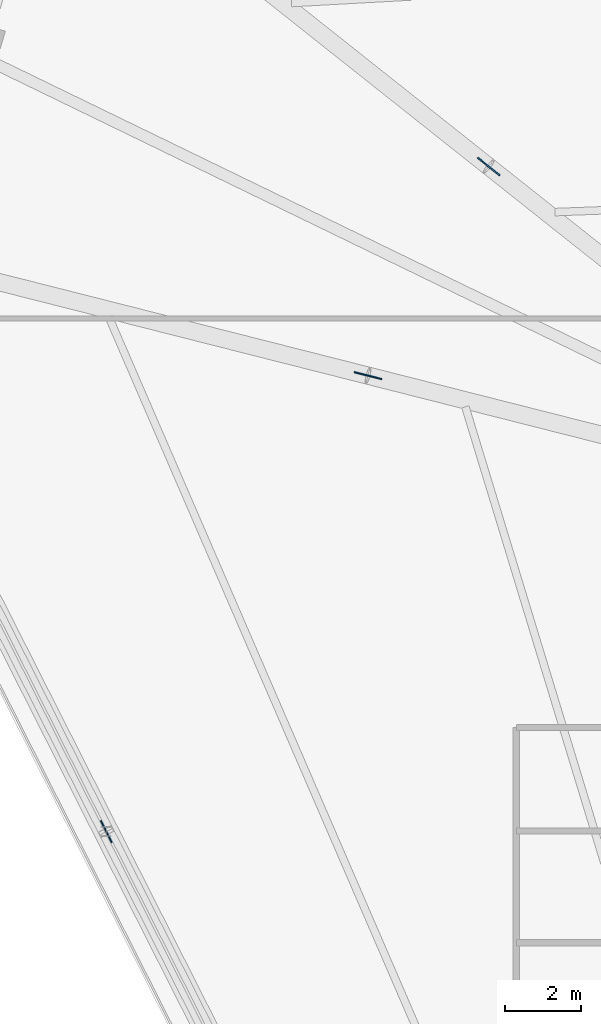
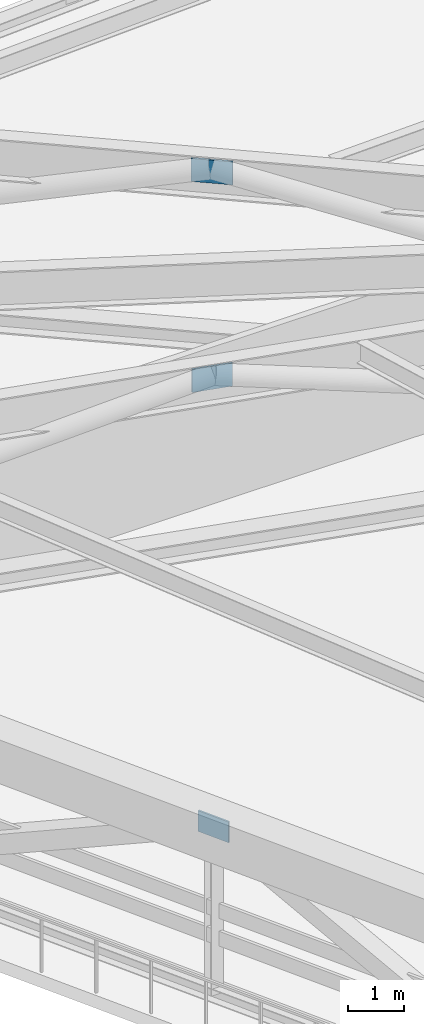
# One storey, part 14 of 25: 3 plates.
"""IFC4 building model written with IfcOpenShell, lengths in metres."""

from ifc_helpers import new_model, si_unit, direction, frame, origin, origin_2d, place, context, subcontext, project, spatial, rectangle, extrude, source, transform, mapped, material, layer, layer_set, type_object, element, save


model = new_model("IFC4")

# Units and contexts
model_context = context("Model", 3, precision=1e-05, world=origin(), true_north=direction((0.0, 1.0)))
body_context = subcontext(model_context, "Body", "Model", "MODEL_VIEW")
ifc_project = project(units=[si_unit("LENGTHUNIT", "METRE"), si_unit("AREAUNIT", "SQUARE_METRE"), si_unit("VOLUMEUNIT", "CUBIC_METRE"), si_unit("PLANEANGLEUNIT", "RADIAN"), si_unit("MASSUNIT", "GRAM", prefix="KILO")], contexts=[model_context])

# Site, building, storey
site_placement = place(None, origin())
site = spatial("IfcSite", under=ifc_project, at=site_placement, CompositionType="ELEMENT")
building_placement = place(site_placement, origin())
building = spatial("IfcBuilding", under=site, at=building_placement, Name="Liaohun Quay Tower", CompositionType="ELEMENT")
storey_placement = place(building_placement, frame((0.0, 0.0, 47.25)))
storey = spatial("IfcBuildingStorey", under=building, at=storey_placement, Name="L12", CompositionType="ELEMENT", Elevation=47.25)

# Plates
ifc_material = material(Name="Steel Q420D outrigger node gusset plate", Category="steel")
ifc_layer = layer(ifc_material, 0.0400390625, Name="Steel Q420D outrigger node gusset plate", Category="steel")
ifc_layer_set = layer_set([ifc_layer], Name="Steel Q420D outrigger node gusset plate")
plate_type = type_object("IfcPlateType", Name="PLT-GUS-OUT", PredefinedType="USERDEFINED", material=ifc_layer_set)
shared_shape_1 = source(origin(), body_context, "Body", "SweptSolid", [
    extrude(rectangle(XDim=0.75, YDim=0.0400390625, at=origin_2d()), origin(), (0.0, 0.0, 1.0), 0.5),
])
for number, where, z_axis, x_axis, name in (
    (1, (36.055908203125, 65.2890625, 3.669921875), (0.0, 0.0, 1.0), (-0.969316774365, 0.245814952628, 0.0), "L12 Outrigger Node Gusset Plate GP1-02"),
    (2, (39.25, 70.822998046875, 3.669921875), (0.0, 0.0, 1.0), (-0.783368117696, 0.621558036049, 0.0), "L12 Outrigger Node Gusset Plate GP1-03"),
):
    element("IfcPlate", number, at=place(storey_placement, frame(where, z_axis=z_axis, x_axis=x_axis)), inside=storey, type_object=plate_type, Name=name, ObjectType="GUSSET PLATE", PredefinedType="USERDEFINED", context=body_context, shape_type="MappedRepresentation", body=[
        mapped(shared_shape_1, transform((0.0, 0.0, 0.0), x_axis=(1.0, 0.0, 0.0), y_axis=(0.0, 1.0, 0.0), z_axis=(0.0, 0.0, 1.0), scale=1.0)),
    ])
shared_shape_2 = source(origin(), body_context, "Body", "SweptSolid", [
    extrude(rectangle(XDim=0.64990234375, YDim=0.035888671875, at=origin_2d()), origin(), (0.0, 0.0, 1.0), 0.449951171875),
])
plate_placement = place(storey_placement, frame((29.126953125, 53.221923828125, 3.69482421875), z_axis=(0.0, 0.0, 1.0), x_axis=(-0.451189084442, 0.892428378124, 0.0)))
element("IfcPlate", 3, at=plate_placement, inside=storey, type_object=plate_type, Name="L12 Belt Truss Node Gusset Plate GP1-B02", ObjectType="GUSSET PLATE", PredefinedType="USERDEFINED", context=body_context, shape_type="MappedRepresentation", body=[
    mapped(shared_shape_2, transform((0.0, 0.0, 0.0), x_axis=(1.0, 0.0, 0.0), y_axis=(0.0, 1.0, 0.0), z_axis=(0.0, 0.0, 1.0), scale=1.0)),
])

save(model, "model.ifc")
